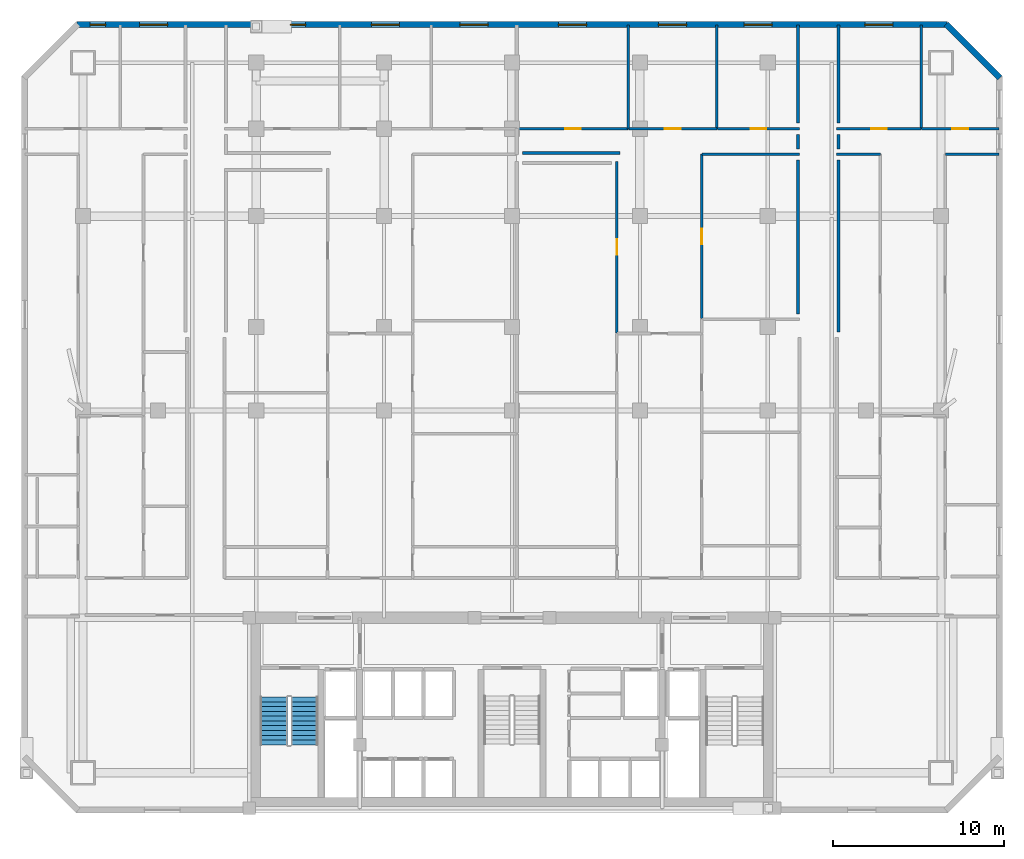
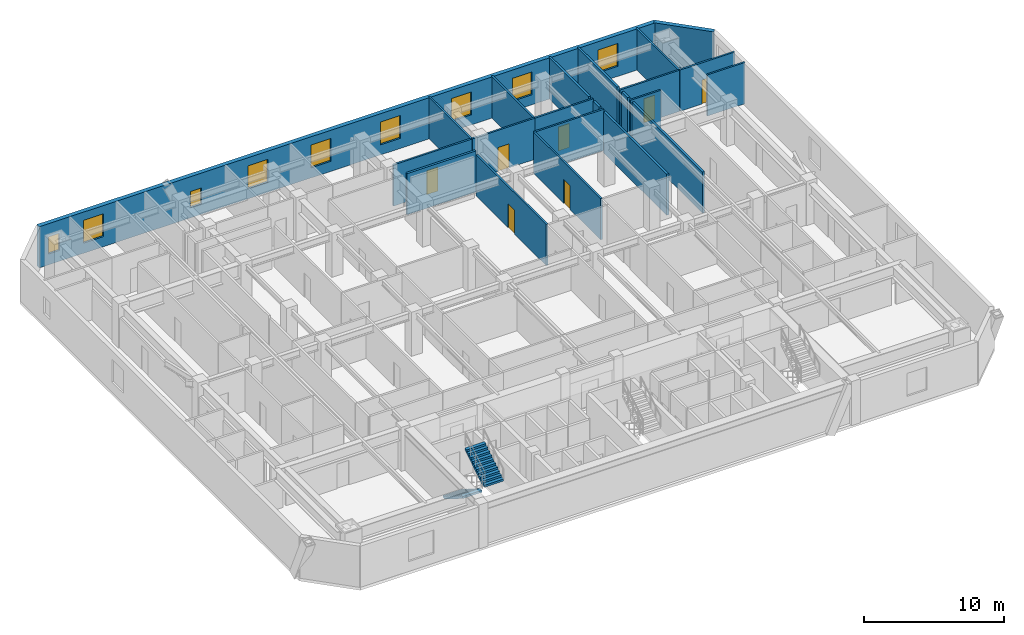
# One storey, part 8 of 10: 22 walls, 9 windows, 7 doors, 2 stair flights, 16 openings, 1 element without a shape of its own.
"""IFC4 building model written with IfcOpenShell, lengths in metres."""

from ifc_helpers import new_model, si_unit, direction, frame, frame_2d, origin, place, context, subcontext, project, spatial, polyline, rectangle, outline, extrude, material, layer, layer_set, type_object, element, fill, aggregate, save


model = new_model("IFC4")

# Units and contexts
model_context = context("Model", 3, precision=1e-05, world=origin(), true_north=direction((0.0, 1.0)))
body_context = subcontext(model_context, "Body", "Model", "MODEL_VIEW")
ifc_project = project(units=[si_unit("LENGTHUNIT", "METRE"), si_unit("AREAUNIT", "SQUARE_METRE"), si_unit("VOLUMEUNIT", "CUBIC_METRE"), si_unit("PLANEANGLEUNIT", "RADIAN"), si_unit("MASSUNIT", "GRAM", prefix="KILO")], contexts=[model_context])

# Site, building, storey
site_placement = place(None, origin())
site = spatial("IfcSite", under=ifc_project, at=site_placement, CompositionType="ELEMENT")
building_placement = place(site_placement, origin())
building = spatial("IfcBuilding", under=site, at=building_placement, Name="Ventersveld Concourse Tower", CompositionType="ELEMENT")
storey_placement = place(building_placement, frame((0.0, 0.0, 88.75)))
storey = spatial("IfcBuildingStorey", under=building, at=storey_placement, Name="L21", CompositionType="ELEMENT", Elevation=88.75)

# Walls
ifc_material_1 = material(Name="Fire-rated autoclaved aerated masonry blockwork", Category="masonry")
ifc_layer_1 = layer(ifc_material_1, 0.179931640625)
ifc_layer_set_1 = layer_set([ifc_layer_1], Name="Fire-rated autoclaved aerated masonry blockwork")
wall_type_1 = type_object("IfcWallType", Name="WL-CORR-180", PredefinedType="PARTITIONING", material=ifc_layer_set_1)
wall_1_placement = place(storey_placement, frame((47.8798828125, 38.945068359375, 0.0), z_axis=(0.0, 0.0, 1.0), x_axis=(0.0, 1.0, 0.0)))
element("IfcWall", 1, at=wall_1_placement, inside=storey, type_object=wall_type_1, Name="L21 Room Enclosure Wall SP-L21-21NE-LIV", PredefinedType="PARTITIONING", context=body_context, shape_type="SweptSolid", body=[
    extrude(rectangle(XDim=0.849853515625, YDim=0.179931640625, at=frame_2d((0.4248046875, 0.0))), origin(), (0.0, 0.0, 1.0), 3.60009765625),
])
wall_2_placement = place(storey_placement, frame((47.8798828125, 28.2099609375, 0.0), z_axis=(0.0, 0.0, 1.0), x_axis=(0.0, 1.0, 0.0)))
element("IfcWall", 2, at=wall_2_placement, inside=storey, type_object=wall_type_1, Name="L21 Room Enclosure Wall SP-L21-21NE-DENL", PredefinedType="PARTITIONING", context=body_context, shape_type="SweptSolid", body=[
    extrude(rectangle(XDim=10.0849609375, YDim=0.179931640625, at=frame_2d((5.04248046875, 0.0))), origin(), (0.0, 0.0, 1.0), 3.60009765625),
])
wall_3_placement = place(storey_placement, frame((47.8798828125, 40.445068359375, 0.0), z_axis=(0.0, 0.0, 1.0), x_axis=(0.0, 1.0, 0.0)))
element("IfcWall", 3, at=wall_3_placement, inside=storey, type_object=wall_type_1, Name="L21 Room Enclosure Wall SP-L21-21NE-BR1", PredefinedType="PARTITIONING", context=body_context, shape_type="SweptSolid", body=[
    extrude(rectangle(XDim=5.744873046875, YDim=0.179931640625, at=frame_2d((2.87255859375, 0.0))), origin(), (0.0, 0.0, 1.0), 3.60009765625),
])
wall_4_placement = place(storey_placement, frame((35.086669921875, 38.7099609375, 0.0), z_axis=(0.0, 0.0, 1.0), x_axis=(-1.0, 0.0, 0.0)))
element("IfcWall", 4, at=wall_4_placement, inside=storey, type_object=wall_type_1, Name="L21 Room Enclosure Wall SP-L21-21N2-LIV", PredefinedType="PARTITIONING", context=body_context, shape_type="SweptSolid", body=[
    extrude(rectangle(XDim=5.724853515625, YDim=0.179931640625, at=frame_2d((2.8623046875, 0.0))), origin(), (0.0, 0.0, 1.0), 3.60009765625),
])
wall_5_placement = place(storey_placement, frame((45.52001953125, 39.794921875, 0.0), z_axis=(0.0, 0.0, 1.0), x_axis=(0.0, -1.0, 0.0)))
element("IfcWall", 5, at=wall_5_placement, inside=storey, type_object=wall_type_1, Name="L21 Room Enclosure Wall SP-L21-21N2-LIV", PredefinedType="PARTITIONING", context=body_context, shape_type="SweptSolid", body=[
    extrude(rectangle(XDim=0.849853515625, YDim=0.179931640625, at=frame_2d((0.4248046875, 0.0))), origin(), (0.0, 0.0, 1.0), 3.60009765625),
])
wall_6_placement = place(storey_placement, frame((45.52001953125, 38.294921875, 0.0), z_axis=(0.0, 0.0, 1.0), x_axis=(0.0, -1.0, 0.0)))
element("IfcWall", 6, at=wall_6_placement, inside=storey, type_object=wall_type_1, Name="L21 Room Enclosure Wall SP-L21-21N2-DENS2", PredefinedType="PARTITIONING", context=body_context, shape_type="SweptSolid", body=[
    extrude(rectangle(XDim=9.02392578125, YDim=0.179931640625, at=frame_2d((4.511962890625, 0.0))), origin(), (0.0, 0.0, 1.0), 3.60009765625),
])
wall_7_placement = place(storey_placement, frame((45.52001953125, 46.18994140625, 0.0), z_axis=(0.0, 0.0, 1.0), x_axis=(0.0, -1.0, 0.0)))
element("IfcWall", 7, at=wall_7_placement, inside=storey, type_object=wall_type_1, Name="L21 Room Enclosure Wall SP-L21-21N2-BR3", PredefinedType="PARTITIONING", context=body_context, shape_type="SweptSolid", body=[
    extrude(rectangle(XDim=5.744873046875, YDim=0.179931640625, at=frame_2d((2.87255859375, 0.0))), origin(), (0.0, 0.0, 1.0), 3.60009765625),
])
ifc_material_2 = material(Name="Autoclaved aerated masonry blockwork", Category="masonry")
ifc_layer_2 = layer(ifc_material_2, 0.14990234375)
ifc_layer_set_2 = layer_set([ifc_layer_2], Name="Autoclaved aerated masonry blockwork")
wall_type_2 = type_object("IfcWallType", Name="WL-INT-150", PredefinedType="PARTITIONING", material=ifc_layer_set_2)
wall_8_placement = place(storey_placement, frame((47.784912109375, 38.6201171875, 0.0), z_axis=(0.0, 0.0, 1.0), x_axis=(1.0, 0.0, 0.0)))
element("IfcWall", 8, at=wall_8_placement, inside=storey, type_object=wall_type_2, Name="L21 Interior Partition SP-L21-21NE-LIV-SP-L21-21NE-DENL", PredefinedType="PARTITIONING", context=body_context, shape_type="SweptSolid", body=[
    extrude(rectangle(XDim=2.55712890625, YDim=0.14990234375, at=frame_2d((1.278564453125, 0.0))), origin(), (0.0, 0.0, 1.0), 3.60009765625),
])
wall_9_placement = place(storey_placement, frame((54.154052734375, 38.6201171875, 0.0), z_axis=(0.0, 0.0, 1.0), x_axis=(1.0, 0.0, 0.0)))
element("IfcWall", 9, at=wall_9_placement, inside=storey, type_object=wall_type_2, Name="L21 Interior Partition SP-L21-21NE-LIV-SP-L21-21NE-DENR", PredefinedType="PARTITIONING", context=body_context, shape_type="SweptSolid", body=[
    extrude(rectangle(XDim=3.135986328125, YDim=0.14990234375, at=frame_2d((1.56787109375, 0.0))), origin(), (0.0, 0.0, 1.0), 3.60009765625),
])

# Wall, opening, door
wall_10_placement = place(storey_placement, frame((47.784912109375, 40.1201171875, 0.0), z_axis=(0.0, 0.0, 1.0), x_axis=(1.0, 0.0, 0.0)))
wall_10 = element("IfcWall", 10, at=wall_10_placement, inside=storey, type_object=wall_type_2, Name="L21 Interior Partition SP-L21-21NE-LIV-SP-L21-21NE-BR1", PredefinedType="PARTITIONING", context=body_context, shape_type="SweptSolid", body=[
    extrude(rectangle(XDim=4.951171875, YDim=0.14990234375, at=frame_2d((2.4755859375, 0.0))), origin(), (0.0, 0.0, 1.0), 3.60009765625),
])
opening_1_placement = place(wall_10_placement, frame((2.015625, 0.0, 0.0)))
opening_1 = element("IfcOpeningElement", 11, at=opening_1_placement, cuts=wall_10, Name="Opening ID1", PredefinedType="OPENING", context=body_context, shape_type="SweptSolid", body=[
    extrude(rectangle(XDim=0.919921875, YDim=2.10009765625, at=frame_2d((0.4599609375, 1.050048828125))), frame((0.0, 0.0849609375, 0.0), z_axis=(0.0, -1.0, 0.0), x_axis=(1.0, 0.0, 0.0)), (0.0, 0.0, 1.0), 0.169921875),
])
ifc_material_3 = material(Name="Solid-core hardwood veneer timber", Category="wood")
door_type = type_object("IfcDoorType", Name="DR-ROOM-092", OperationType="NOTDEFINED", PredefinedType="DOOR", material=ifc_material_3)
door_1_placement = place(opening_1_placement, origin())
door_1 = element("IfcDoor", 12, at=door_1_placement, inside=storey, type_object=door_type, Name="L21 Interior Door SP-L21-21NE-LIV to SP-L21-21NE-BR1 (D-L21-1033)", OperationType="SINGLE_SWING_LEFT", OverallHeight=2.10009765625, OverallWidth=0.919921875, PredefinedType="DOOR", context=body_context, shape_type="SweptSolid", body=[
    extrude(rectangle(XDim=0.919921875, YDim=2.10009765625, at=frame_2d((0.4599609375, 1.050048828125))), frame((0.0, 0.02490234375, 0.0), z_axis=(0.0, -1.0, 0.0), x_axis=(1.0, 0.0, 0.0)), (0.0, 0.0, 1.0), 0.050048828125),
])
fill(opening_1, door_1)

wall_11_placement = place(storey_placement, frame((52.76611328125, 40.1201171875, 0.0), z_axis=(0.0, 0.0, 1.0), x_axis=(1.0, 0.0, 0.0)))
wall_11 = element("IfcWall", 13, at=wall_11_placement, inside=storey, type_object=wall_type_2, Name="L21 Interior Partition SP-L21-21NE-LIV-SP-L21-21NE-BR2", PredefinedType="PARTITIONING", context=body_context, shape_type="SweptSolid", body=[
    extrude(rectangle(XDim=4.52392578125, YDim=0.14990234375, at=frame_2d((2.261962890625, 0.0))), origin(), (0.0, 0.0, 1.0), 3.60009765625),
])
opening_2_placement = place(wall_11_placement, frame((1.802001953125, 0.0, 0.0)))
opening_2 = element("IfcOpeningElement", 14, at=opening_2_placement, cuts=wall_11, Name="Opening ID1", PredefinedType="OPENING", context=body_context, shape_type="SweptSolid", body=[
    extrude(rectangle(XDim=0.919921875, YDim=2.10009765625, at=frame_2d((0.4599609375, 1.050048828125))), frame((0.0, 0.0849609375, 0.0), z_axis=(0.0, -1.0, 0.0), x_axis=(1.0, 0.0, 0.0)), (0.0, 0.0, 1.0), 0.169921875),
])
door_2_placement = place(opening_2_placement, origin())
door_2 = element("IfcDoor", 15, at=door_2_placement, inside=storey, type_object=door_type, Name="L21 Interior Door SP-L21-21NE-LIV to SP-L21-21NE-BR2 (D-L21-1034)", OperationType="SINGLE_SWING_RIGHT", OverallHeight=2.10009765625, OverallWidth=0.919921875, PredefinedType="DOOR", context=body_context, shape_type="SweptSolid", body=[
    extrude(rectangle(XDim=0.919921875, YDim=2.10009765625, at=frame_2d((0.4599609375, 1.050048828125))), frame((0.0, 0.02490234375, 0.0), z_axis=(0.0, -1.0, 0.0), x_axis=(1.0, 0.0, 0.0)), (0.0, 0.0, 1.0), 0.050048828125),
])
fill(opening_2, door_2)

# Wall
wall_12_placement = place(storey_placement, frame((52.731201171875, 40.114990234375, 0.0), z_axis=(0.0, 0.0, 1.0), x_axis=(0.0, 1.0, 0.0)))
element("IfcWall", 16, at=wall_12_placement, inside=storey, type_object=wall_type_2, Name="L21 Interior Partition SP-L21-21NE-BR1-SP-L21-21NE-BR2", PredefinedType="PARTITIONING", context=body_context, shape_type="SweptSolid", body=[
    extrude(rectangle(XDim=6.074951171875, YDim=0.14990234375, at=frame_2d((3.03759765625, 0.0))), origin(), (0.0, 0.0, 1.0), 3.60009765625),
])

# Wall, opening, door
wall_13_placement = place(storey_placement, frame((34.901611328125, 28.151611328125, 0.0), z_axis=(0.0, 0.0, 1.0), x_axis=(0.0, 1.0, 0.0)))
wall_13 = element("IfcWall", 17, at=wall_13_placement, inside=storey, type_object=wall_type_2, Name="L21 Interior Partition SP-L21-21N2-LIV-SP-L21-21N2-DENL2", PredefinedType="PARTITIONING", context=body_context, shape_type="SweptSolid", body=[
    extrude(rectangle(XDim=10.052490234375, YDim=0.14990234375, at=frame_2d((5.0263671875, 0.0))), origin(), (0.0, 0.0, 1.0), 3.60009765625),
])
opening_3_placement = place(wall_13_placement, frame((4.566162109375, 0.0, 0.0)))
opening_3 = element("IfcOpeningElement", 18, at=opening_3_placement, cuts=wall_13, Name="Opening ID1", PredefinedType="OPENING", context=body_context, shape_type="SweptSolid", body=[
    extrude(rectangle(XDim=0.919921875, YDim=2.10009765625, at=frame_2d((0.4599609375, 1.050048828125))), frame((0.0, 0.0849609375, 0.0), z_axis=(0.0, -1.0, 0.0), x_axis=(1.0, 0.0, 0.0)), (0.0, 0.0, 1.0), 0.169921875),
])
door_3_placement = place(opening_3_placement, origin())
door_3 = element("IfcDoor", 19, at=door_3_placement, inside=storey, type_object=door_type, Name="L21 Interior Door SP-L21-21N2-LIV to SP-L21-21N2-DENL2 (D-L21-1054)", OperationType="SINGLE_SWING_RIGHT", OverallHeight=2.10009765625, OverallWidth=0.919921875, PredefinedType="DOOR", context=body_context, shape_type="SweptSolid", body=[
    extrude(rectangle(XDim=0.919921875, YDim=2.10009765625, at=frame_2d((0.4599609375, 1.050048828125))), frame((0.0, 0.02490234375, 0.0), z_axis=(0.0, -1.0, 0.0), x_axis=(1.0, 0.0, 0.0)), (0.0, 0.0, 1.0), 0.050048828125),
])
fill(opening_3, door_3)

wall_14_placement = place(storey_placement, frame((39.881591796875, 28.98095703125, 0.0), z_axis=(0.0, 0.0, 1.0), x_axis=(0.0, 1.0, 0.0)))
wall_14 = element("IfcWall", 20, at=wall_14_placement, inside=storey, type_object=wall_type_2, Name="L21 Interior Partition SP-L21-21N2-LIV-SP-L21-21N2-DENS2", PredefinedType="PARTITIONING", context=body_context, shape_type="SweptSolid", body=[
    extrude(rectangle(XDim=9.64404296875, YDim=0.14990234375, at=frame_2d((4.822021484375, 0.0))), origin(), (0.0, 0.0, 1.0), 3.60009765625),
])
opening_4_placement = place(wall_14_placement, frame((4.362060546875, 0.0, 0.0)))
opening_4 = element("IfcOpeningElement", 21, at=opening_4_placement, cuts=wall_14, Name="Opening ID1", PredefinedType="OPENING", context=body_context, shape_type="SweptSolid", body=[
    extrude(rectangle(XDim=0.919921875, YDim=2.10009765625, at=frame_2d((0.4599609375, 1.050048828125))), frame((0.0, 0.0849609375, 0.0), z_axis=(0.0, -1.0, 0.0), x_axis=(1.0, 0.0, 0.0)), (0.0, 0.0, 1.0), 0.169921875),
])
door_4_placement = place(opening_4_placement, origin())
door_4 = element("IfcDoor", 22, at=door_4_placement, inside=storey, type_object=door_type, Name="L21 Interior Door SP-L21-21N2-LIV to SP-L21-21N2-DENS2 (D-L21-1055)", OperationType="SINGLE_SWING_LEFT", OverallHeight=2.10009765625, OverallWidth=0.919921875, PredefinedType="DOOR", context=body_context, shape_type="SweptSolid", body=[
    extrude(rectangle(XDim=0.919921875, YDim=2.10009765625, at=frame_2d((0.4599609375, 1.050048828125))), frame((0.0, 0.02490234375, 0.0), z_axis=(0.0, -1.0, 0.0), x_axis=(1.0, 0.0, 0.0)), (0.0, 0.0, 1.0), 0.050048828125),
])
fill(opening_4, door_4)

# Wall
wall_15_placement = place(storey_placement, frame((39.876708984375, 38.6201171875, 0.0), z_axis=(0.0, 0.0, 1.0), x_axis=(1.0, 0.0, 0.0)))
element("IfcWall", 23, at=wall_15_placement, inside=storey, type_object=wall_type_2, Name="L21 Interior Partition SP-L21-21N2-LIV-SP-L21-21N2-DENS2", PredefinedType="PARTITIONING", context=body_context, shape_type="SweptSolid", body=[
    extrude(rectangle(XDim=5.73828125, YDim=0.14990234375, at=frame_2d((2.869140625, 0.0))), origin(), (0.0, 0.0, 1.0), 3.60009765625),
])

# Wall, opening, door
wall_16_placement = place(storey_placement, frame((29.072021484375, 40.1201171875, 0.0), z_axis=(0.0, 0.0, 1.0), x_axis=(1.0, 0.0, 0.0)))
wall_16 = element("IfcWall", 24, at=wall_16_placement, inside=storey, type_object=wall_type_2, Name="L21 Interior Partition SP-L21-21N2-LIV-SP-L21-21N2-BR1", PredefinedType="PARTITIONING", context=body_context, shape_type="SweptSolid", body=[
    extrude(rectangle(XDim=6.496337890625, YDim=0.14990234375, at=frame_2d((3.248046875, 0.0))), origin(), (0.0, 0.0, 1.0), 3.60009765625),
])
opening_5_placement = place(wall_16_placement, frame((2.7880859375, 0.0, 0.0)))
opening_5 = element("IfcOpeningElement", 25, at=opening_5_placement, cuts=wall_16, Name="Opening ID1", PredefinedType="OPENING", context=body_context, shape_type="SweptSolid", body=[
    extrude(rectangle(XDim=0.919921875, YDim=2.10009765625, at=frame_2d((0.4599609375, 1.050048828125))), frame((0.0, 0.0849609375, 0.0), z_axis=(0.0, -1.0, 0.0), x_axis=(1.0, 0.0, 0.0)), (0.0, 0.0, 1.0), 0.169921875),
])
door_5_placement = place(opening_5_placement, origin())
door_5 = element("IfcDoor", 26, at=door_5_placement, inside=storey, type_object=door_type, Name="L21 Interior Door SP-L21-21N2-LIV to SP-L21-21N2-BR1 (D-L21-1056)", OperationType="SINGLE_SWING_RIGHT", OverallHeight=2.10009765625, OverallWidth=0.919921875, PredefinedType="DOOR", context=body_context, shape_type="SweptSolid", body=[
    extrude(rectangle(XDim=0.919921875, YDim=2.10009765625, at=frame_2d((0.4599609375, 1.050048828125))), frame((0.0, 0.02490234375, 0.0), z_axis=(0.0, -1.0, 0.0), x_axis=(1.0, 0.0, 0.0)), (0.0, 0.0, 1.0), 0.050048828125),
])
fill(opening_5, door_5)

wall_17_placement = place(storey_placement, frame((35.598388671875, 40.1201171875, 0.0), z_axis=(0.0, 0.0, 1.0), x_axis=(1.0, 0.0, 0.0)))
wall_17 = element("IfcWall", 27, at=wall_17_placement, inside=storey, type_object=wall_type_2, Name="L21 Interior Partition SP-L21-21N2-LIV-SP-L21-21N2-BR2", PredefinedType="PARTITIONING", context=body_context, shape_type="SweptSolid", body=[
    extrude(rectangle(XDim=5.16015625, YDim=0.14990234375, at=frame_2d((2.580078125, 0.0))), origin(), (0.0, 0.0, 1.0), 3.60009765625),
])
opening_6_placement = place(wall_17_placement, frame((2.1201171875, 0.0, 0.0)))
opening_6 = element("IfcOpeningElement", 28, at=opening_6_placement, cuts=wall_17, Name="Opening ID1", PredefinedType="OPENING", context=body_context, shape_type="SweptSolid", body=[
    extrude(rectangle(XDim=0.919921875, YDim=2.10009765625, at=frame_2d((0.4599609375, 1.050048828125))), frame((0.0, 0.0849609375, 0.0), z_axis=(0.0, -1.0, 0.0), x_axis=(1.0, 0.0, 0.0)), (0.0, 0.0, 1.0), 0.169921875),
])
door_6_placement = place(opening_6_placement, origin())
door_6 = element("IfcDoor", 29, at=door_6_placement, inside=storey, type_object=door_type, Name="L21 Interior Door SP-L21-21N2-LIV to SP-L21-21N2-BR2 (D-L21-1057)", OperationType="SINGLE_SWING_LEFT", OverallHeight=2.10009765625, OverallWidth=0.919921875, PredefinedType="DOOR", context=body_context, shape_type="SweptSolid", body=[
    extrude(rectangle(XDim=0.919921875, YDim=2.10009765625, at=frame_2d((0.4599609375, 1.050048828125))), frame((0.0, 0.02490234375, 0.0), z_axis=(0.0, -1.0, 0.0), x_axis=(1.0, 0.0, 0.0)), (0.0, 0.0, 1.0), 0.050048828125),
])
fill(opening_6, door_6)

wall_18_placement = place(storey_placement, frame((40.78857421875, 40.1201171875, 0.0), z_axis=(0.0, 0.0, 1.0), x_axis=(1.0, 0.0, 0.0)))
wall_18 = element("IfcWall", 30, at=wall_18_placement, inside=storey, type_object=wall_type_2, Name="L21 Interior Partition SP-L21-21N2-LIV-SP-L21-21N2-BR3", PredefinedType="PARTITIONING", context=body_context, shape_type="SweptSolid", body=[
    extrude(rectangle(XDim=4.826416015625, YDim=0.14990234375, at=frame_2d((2.4130859375, 0.0))), origin(), (0.0, 0.0, 1.0), 3.60009765625),
])
opening_7_placement = place(wall_18_placement, frame((1.953125, 0.0, 0.0)))
opening_7 = element("IfcOpeningElement", 31, at=opening_7_placement, cuts=wall_18, Name="Opening ID1", PredefinedType="OPENING", context=body_context, shape_type="SweptSolid", body=[
    extrude(rectangle(XDim=0.919921875, YDim=2.10009765625, at=frame_2d((0.4599609375, 1.050048828125))), frame((0.0, 0.0849609375, 0.0), z_axis=(0.0, -1.0, 0.0), x_axis=(1.0, 0.0, 0.0)), (0.0, 0.0, 1.0), 0.169921875),
])
door_7_placement = place(opening_7_placement, origin())
door_7 = element("IfcDoor", 32, at=door_7_placement, inside=storey, type_object=door_type, Name="L21 Interior Door SP-L21-21N2-LIV to SP-L21-21N2-BR3 (D-L21-1058)", OperationType="SINGLE_SWING_RIGHT", OverallHeight=2.10009765625, OverallWidth=0.919921875, PredefinedType="DOOR", context=body_context, shape_type="SweptSolid", body=[
    extrude(rectangle(XDim=0.919921875, YDim=2.10009765625, at=frame_2d((0.4599609375, 1.050048828125))), frame((0.0, 0.02490234375, 0.0), z_axis=(0.0, -1.0, 0.0), x_axis=(1.0, 0.0, 0.0)), (0.0, 0.0, 1.0), 0.050048828125),
])
fill(opening_7, door_7)

# Walls
for number, where, z_axis, x_axis, name in (
    (33, (35.563232421875, 40.114990234375, 0.0), (0.0, 0.0, 1.0), (0.0, 1.0, 0.0), "L21 Interior Partition SP-L21-21N2-BR1-SP-L21-21N2-BR2"),
    (34, (40.753662109375, 40.114990234375, 0.0), (0.0, 0.0, 1.0), (0.0, 1.0, 0.0), "L21 Interior Partition SP-L21-21N2-BR2-SP-L21-21N2-BR3"),
):
    element("IfcWall", number, at=place(storey_placement, frame(where, z_axis=z_axis, x_axis=x_axis)), inside=storey, type_object=wall_type_2, Name=name, PredefinedType="PARTITIONING", context=body_context, shape_type="SweptSolid", body=[
        extrude(rectangle(XDim=6.074951171875, YDim=0.14990234375, at=frame_2d((3.03759765625, 0.0))), origin(), (0.0, 0.0, 1.0), 3.60009765625),
    ])
ifc_material_4 = material(Name="Precast concrete C45/55", Category="concrete")
ifc_layer_3 = layer(ifc_material_4, 0.35009765625)
ifc_layer_set_3 = layer_set([ifc_layer_3], Name="Precast concrete C45/55")
wall_type_3 = type_object("IfcWallType", Name="WL-PREC-350", PredefinedType="SOLIDWALL", material=ifc_layer_set_3)
wall_19_placement = place(storey_placement, frame((57.347900390625, 43.1044921875, 0.0), z_axis=(0.0, 0.0, 1.0), x_axis=(-0.707079321262, 0.707134240044, 0.0)))
element("IfcWall", 35, at=wall_19_placement, inside=storey, type_object=wall_type_3, Name="L21 Highveld Precast Facade Wall E04", PredefinedType="SOLIDWALL", context=body_context, shape_type="SweptSolid", body=[
    extrude(rectangle(XDim=4.445556640625, YDim=0.35009765625, at=frame_2d((2.22265625, 0.0))), origin(), (0.0, 0.0, 1.0), 3.60009765625),
])

# Wall, openings, windows
wall_20_placement = place(storey_placement, frame((54.260009765625, 46.22509765625, 0.0), z_axis=(0.0, 0.0, 1.0), x_axis=(-1.0, 0.0, 0.0)))
wall_20 = element("IfcWall", 36, at=wall_20_placement, inside=storey, type_object=wall_type_3, Name="L21 Highveld Precast Facade Wall E05", PredefinedType="SOLIDWALL", context=body_context, shape_type="SweptSolid", body=[
    extrude(rectangle(XDim=51.02001953125, YDim=0.35009765625, at=frame_2d((25.510009765625, 0.0))), origin(), (0.0, 0.0, 1.0), 3.60009765625),
])
opening_8_placement = place(wall_20_placement, frame((49.340087890625, 0.0, 0.949951171875)))
opening_8 = element("IfcOpeningElement", 37, at=opening_8_placement, cuts=wall_20, Name="Opening W4", PredefinedType="OPENING", context=body_context, shape_type="SweptSolid", body=[
    extrude(rectangle(XDim=0.89990234375, YDim=1.5, at=frame_2d((0.449951171875, 0.75))), frame((0.0, 0.18505859375, 0.0), z_axis=(0.0, -1.0, 0.0), x_axis=(1.0, 0.0, 0.0)), (0.0, 0.0, 1.0), 0.3701171875),
])
opening_9_placement = place(wall_20_placement, frame((45.6943359375, 0.0, 0.8798828125)))
opening_9 = element("IfcOpeningElement", 38, at=opening_9_placement, cuts=wall_20, Name="Opening W6", PredefinedType="OPENING", context=body_context, shape_type="SweptSolid", body=[
    extrude(rectangle(XDim=1.64990234375, YDim=2.0, at=frame_2d((0.824951171875, 1.0))), frame((0.0, 0.18505859375, 0.0), z_axis=(0.0, -1.0, 0.0), x_axis=(1.0, 0.0, 0.0)), (0.0, 0.0, 1.0), 0.3701171875),
])
opening_10_placement = place(wall_20_placement, frame((3.17431640625, 0.0, 0.8798828125)))
opening_10 = element("IfcOpeningElement", 39, at=opening_10_placement, cuts=wall_20, Name="Opening W6", PredefinedType="OPENING", context=body_context, shape_type="SweptSolid", body=[
    extrude(rectangle(XDim=1.64990234375, YDim=2.0, at=frame_2d((0.824951171875, 1.0))), frame((0.0, 0.18505859375, 0.0), z_axis=(0.0, -1.0, 0.0), x_axis=(1.0, 0.0, 0.0)), (0.0, 0.0, 1.0), 0.3701171875),
])
opening_11_placement = place(wall_20_placement, frame((37.61279296875, 0.0, 0.89990234375)))
opening_11 = element("IfcOpeningElement", 40, at=opening_11_placement, cuts=wall_20, Name="Opening W8", PredefinedType="OPENING", context=body_context, shape_type="SweptSolid", body=[
    extrude(rectangle(XDim=0.89990234375, YDim=1.39990234375, at=frame_2d((0.449951171875, 0.699951171875))), frame((0.0, 0.18505859375, 0.0), z_axis=(0.0, -1.0, 0.0), x_axis=(1.0, 0.0, 0.0)), (0.0, 0.0, 1.0), 0.3701171875),
])
opening_12_placement = place(wall_20_placement, frame((32.1064453125, 0.0, 0.8798828125)))
opening_12 = element("IfcOpeningElement", 41, at=opening_12_placement, cuts=wall_20, Name="Opening W6", PredefinedType="OPENING", context=body_context, shape_type="SweptSolid", body=[
    extrude(rectangle(XDim=1.64990234375, YDim=2.0, at=frame_2d((0.824951171875, 1.0))), frame((0.0, 0.18505859375, 0.0), z_axis=(0.0, -1.0, 0.0), x_axis=(1.0, 0.0, 0.0)), (0.0, 0.0, 1.0), 0.3701171875),
])
opening_13_placement = place(wall_20_placement, frame((26.909912109375, 0.0, 0.8798828125)))
opening_13 = element("IfcOpeningElement", 42, at=opening_13_placement, cuts=wall_20, Name="Opening W6", PredefinedType="OPENING", context=body_context, shape_type="SweptSolid", body=[
    extrude(rectangle(XDim=1.64990234375, YDim=2.0, at=frame_2d((0.824951171875, 1.0))), frame((0.0, 0.18505859375, 0.0), z_axis=(0.0, -1.0, 0.0), x_axis=(1.0, 0.0, 0.0)), (0.0, 0.0, 1.0), 0.3701171875),
])
opening_14_placement = place(wall_20_placement, frame((21.135009765625, 0.0, 0.8798828125)))
opening_14 = element("IfcOpeningElement", 43, at=opening_14_placement, cuts=wall_20, Name="Opening W6", PredefinedType="OPENING", context=body_context, shape_type="SweptSolid", body=[
    extrude(rectangle(XDim=1.64990234375, YDim=2.0, at=frame_2d((0.824951171875, 1.0))), frame((0.0, 0.18505859375, 0.0), z_axis=(0.0, -1.0, 0.0), x_axis=(1.0, 0.0, 0.0)), (0.0, 0.0, 1.0), 0.3701171875),
])
opening_15_placement = place(wall_20_placement, frame((15.276611328125, 0.0, 0.8798828125)))
opening_15 = element("IfcOpeningElement", 44, at=opening_15_placement, cuts=wall_20, Name="Opening W6", PredefinedType="OPENING", context=body_context, shape_type="SweptSolid", body=[
    extrude(rectangle(XDim=1.64990234375, YDim=2.0, at=frame_2d((0.824951171875, 1.0))), frame((0.0, 0.18505859375, 0.0), z_axis=(0.0, -1.0, 0.0), x_axis=(1.0, 0.0, 0.0)), (0.0, 0.0, 1.0), 0.3701171875),
])
opening_16_placement = place(wall_20_placement, frame((10.253173828125, 0.0, 0.8798828125)))
opening_16 = element("IfcOpeningElement", 45, at=opening_16_placement, cuts=wall_20, Name="Opening W6", PredefinedType="OPENING", context=body_context, shape_type="SweptSolid", body=[
    extrude(rectangle(XDim=1.64990234375, YDim=2.0, at=frame_2d((0.824951171875, 1.0))), frame((0.0, 0.18505859375, 0.0), z_axis=(0.0, -1.0, 0.0), x_axis=(1.0, 0.0, 0.0)), (0.0, 0.0, 1.0), 0.3701171875),
])
ifc_material_5 = material(Name="Tempered acoustic Low-E IGU", Category="glass")
window_type_1 = type_object("IfcWindowType", Name="WIN-090x140", PartitioningType="SINGLE_PANEL", PredefinedType="WINDOW", material=ifc_material_5)
window_1_placement = place(opening_11_placement, origin())
window_1 = element("IfcWindow", 46, at=window_1_placement, inside=storey, type_object=window_type_1, Name="L21 Punched Low-E Window W-0235", OverallHeight=1.39990234375, OverallWidth=0.89990234375, PartitioningType="SINGLE_PANEL", PredefinedType="WINDOW", context=body_context, shape_type="SweptSolid", body=[
    extrude(rectangle(XDim=0.89990234375, YDim=1.39990234375, at=frame_2d((0.449951171875, 0.699951171875))), frame((0.0, 0.030029296875, 0.0), z_axis=(0.0, -1.0, 0.0), x_axis=(1.0, 0.0, 0.0)), (0.0, 0.0, 1.0), 0.06005859375),
])
fill(opening_11, window_1)
window_type_2 = type_object("IfcWindowType", Name="WIN-090x150", PartitioningType="SINGLE_PANEL", PredefinedType="WINDOW", material=ifc_material_5)
window_2_placement = place(opening_8_placement, origin())
window_2 = element("IfcWindow", 47, at=window_2_placement, inside=storey, type_object=window_type_2, Name="L21 Punched Low-E Window W-0228", OverallHeight=1.5, OverallWidth=0.89990234375, PartitioningType="SINGLE_PANEL", PredefinedType="WINDOW", context=body_context, shape_type="SweptSolid", body=[
    extrude(rectangle(XDim=0.89990234375, YDim=1.5, at=frame_2d((0.449951171875, 0.75))), frame((0.0, 0.030029296875, 0.0), z_axis=(0.0, -1.0, 0.0), x_axis=(1.0, 0.0, 0.0)), (0.0, 0.0, 1.0), 0.06005859375),
])
fill(opening_8, window_2)
window_type_3 = type_object("IfcWindowType", Name="WIN-165x200", PartitioningType="SINGLE_PANEL", PredefinedType="WINDOW", material=ifc_material_5)
window_3_placement = place(opening_9_placement, origin())
window_3 = element("IfcWindow", 48, at=window_3_placement, inside=storey, type_object=window_type_3, Name="L21 Punched Low-E Window W-0229", OverallHeight=2.0, OverallWidth=1.64990234375, PartitioningType="SINGLE_PANEL", PredefinedType="WINDOW", context=body_context, shape_type="SweptSolid", body=[
    extrude(rectangle(XDim=1.64990234375, YDim=2.0, at=frame_2d((0.824951171875, 1.0))), frame((0.0, 0.030029296875, 0.0), z_axis=(0.0, -1.0, 0.0), x_axis=(1.0, 0.0, 0.0)), (0.0, 0.0, 1.0), 0.06005859375),
])
fill(opening_9, window_3)
window_4_placement = place(opening_10_placement, origin())
window_4 = element("IfcWindow", 49, at=window_4_placement, inside=storey, type_object=window_type_3, Name="L21 Punched Low-E Window W-0233", OverallHeight=2.0, OverallWidth=1.64990234375, PartitioningType="SINGLE_PANEL", PredefinedType="WINDOW", context=body_context, shape_type="SweptSolid", body=[
    extrude(rectangle(XDim=1.64990234375, YDim=2.0, at=frame_2d((0.824951171875, 1.0))), frame((0.0, 0.030029296875, 0.0), z_axis=(0.0, -1.0, 0.0), x_axis=(1.0, 0.0, 0.0)), (0.0, 0.0, 1.0), 0.06005859375),
])
fill(opening_10, window_4)
window_5_placement = place(opening_12_placement, origin())
window_5 = element("IfcWindow", 50, at=window_5_placement, inside=storey, type_object=window_type_3, Name="L21 Punched Low-E Window W-0236", OverallHeight=2.0, OverallWidth=1.64990234375, PartitioningType="SINGLE_PANEL", PredefinedType="WINDOW", context=body_context, shape_type="SweptSolid", body=[
    extrude(rectangle(XDim=1.64990234375, YDim=2.0, at=frame_2d((0.824951171875, 1.0))), frame((0.0, 0.030029296875, 0.0), z_axis=(0.0, -1.0, 0.0), x_axis=(1.0, 0.0, 0.0)), (0.0, 0.0, 1.0), 0.06005859375),
])
fill(opening_12, window_5)
window_6_placement = place(opening_13_placement, origin())
window_6 = element("IfcWindow", 51, at=window_6_placement, inside=storey, type_object=window_type_3, Name="L21 Punched Low-E Window W-0237", OverallHeight=2.0, OverallWidth=1.64990234375, PartitioningType="SINGLE_PANEL", PredefinedType="WINDOW", context=body_context, shape_type="SweptSolid", body=[
    extrude(rectangle(XDim=1.64990234375, YDim=2.0, at=frame_2d((0.824951171875, 1.0))), frame((0.0, 0.030029296875, 0.0), z_axis=(0.0, -1.0, 0.0), x_axis=(1.0, 0.0, 0.0)), (0.0, 0.0, 1.0), 0.06005859375),
])
fill(opening_13, window_6)
window_7_placement = place(opening_14_placement, origin())
window_7 = element("IfcWindow", 52, at=window_7_placement, inside=storey, type_object=window_type_3, Name="L21 Punched Low-E Window W-0238", OverallHeight=2.0, OverallWidth=1.64990234375, PartitioningType="SINGLE_PANEL", PredefinedType="WINDOW", context=body_context, shape_type="SweptSolid", body=[
    extrude(rectangle(XDim=1.64990234375, YDim=2.0, at=frame_2d((0.824951171875, 1.0))), frame((0.0, 0.030029296875, 0.0), z_axis=(0.0, -1.0, 0.0), x_axis=(1.0, 0.0, 0.0)), (0.0, 0.0, 1.0), 0.06005859375),
])
fill(opening_14, window_7)
window_8_placement = place(opening_15_placement, origin())
window_8 = element("IfcWindow", 53, at=window_8_placement, inside=storey, type_object=window_type_3, Name="L21 Punched Low-E Window W-0239", OverallHeight=2.0, OverallWidth=1.64990234375, PartitioningType="SINGLE_PANEL", PredefinedType="WINDOW", context=body_context, shape_type="SweptSolid", body=[
    extrude(rectangle(XDim=1.64990234375, YDim=2.0, at=frame_2d((0.824951171875, 1.0))), frame((0.0, 0.030029296875, 0.0), z_axis=(0.0, -1.0, 0.0), x_axis=(1.0, 0.0, 0.0)), (0.0, 0.0, 1.0), 0.06005859375),
])
fill(opening_15, window_8)
window_9_placement = place(opening_16_placement, origin())
window_9 = element("IfcWindow", 54, at=window_9_placement, inside=storey, type_object=window_type_3, Name="L21 Punched Low-E Window W-0240", OverallHeight=2.0, OverallWidth=1.64990234375, PartitioningType="SINGLE_PANEL", PredefinedType="WINDOW", context=body_context, shape_type="SweptSolid", body=[
    extrude(rectangle(XDim=1.64990234375, YDim=2.0, at=frame_2d((0.824951171875, 1.0))), frame((0.0, 0.030029296875, 0.0), z_axis=(0.0, -1.0, 0.0), x_axis=(1.0, 0.0, 0.0)), (0.0, 0.0, 1.0), 0.06005859375),
])
fill(opening_16, window_9)

# Stair, stair flights
ifc_material_6 = material(Name="Concrete C50/60", Category="concrete")
stair_type = type_object("IfcStairType", Name="ST-DOG-160", PredefinedType="HALF_TURN_STAIR", material=ifc_material_6)
stair_placement = place(storey_placement, origin())
stair = element("IfcStair", 55, at=stair_placement, inside=storey, type_object=stair_type, Name="L21 Protected Tower Escape Stair ST-01", PredefinedType="HALF_TURN_STAIR")
stair_flight_type = type_object("IfcStairFlightType", Name="STF-RC-160", PredefinedType="STRAIGHT", material=ifc_material_6)
stair_flight_1_placement = place(storey_placement, frame((14.780029296875, 6.800048828125, 0.0), z_axis=(0.0, 0.0, 1.0), x_axis=(0.0, -1.0, 0.0)))
stair_flight_1 = element("IfcStairFlight", 56, at=stair_flight_1_placement, type_object=stair_flight_type, Name="ST-01 flight 1", NumberOfRisers=11, NumberOfTreads=10, PredefinedType="STRAIGHT", RiserHeight=0.175, TreadLength=0.28, context=body_context, shape_type="SweptSolid", body=[
    extrude(outline(polyline([(0.0, 0.0), (0.0, 0.175048828125), (0.280029296875, 0.175048828125), (0.280029296875, 0.35009765625), (0.56005859375, 0.35009765625), (0.56005859375, 0.52490234375), (0.840087890625, 0.52490234375), (0.840087890625, 0.699951171875), (1.1201171875, 0.699951171875), (1.1201171875, 0.875), (1.39990234375, 0.875), (1.39990234375, 1.050048828125), (1.679931640625, 1.050048828125), (1.679931640625, 1.22509765625), (1.9599609375, 1.22509765625), (1.9599609375, 1.39990234375), (2.239990234375, 1.39990234375), (2.239990234375, 1.574951171875), (2.52001953125, 1.574951171875), (2.52001953125, 1.75), (2.800048828125, 1.75), (2.800048828125, 1.925048828125), (2.800048828125, 1.5732421875), (0.28271484375, 0.0), (0.0, 0.0)])), frame((0.0, 0.800048828125, 0.0), z_axis=(0.0, -1.0, 0.0), x_axis=(1.0, 0.0, 0.0)), (0.0, 0.0, 1.0), 1.60009765625),
])
stair_flight_2_placement = place(storey_placement, frame((16.580078125, 4.0, 1.925048828125), z_axis=(0.0, 0.0, 1.0), x_axis=(0.0, 1.0, 0.0)))
stair_flight_2 = element("IfcStairFlight", 57, at=stair_flight_2_placement, type_object=stair_flight_type, Name="ST-01 flight 2", NumberOfRisers=11, NumberOfTreads=10, PredefinedType="STRAIGHT", RiserHeight=0.175, TreadLength=0.28, context=body_context, shape_type="SweptSolid", body=[
    extrude(outline(polyline([(0.0, 0.0), (0.0, 0.175048828125), (0.280029296875, 0.175048828125), (0.280029296875, 0.35009765625), (0.56005859375, 0.35009765625), (0.56005859375, 0.52490234375), (0.840087890625, 0.52490234375), (0.840087890625, 0.699951171875), (1.1201171875, 0.699951171875), (1.1201171875, 0.875), (1.39990234375, 0.875), (1.39990234375, 1.050048828125), (1.679931640625, 1.050048828125), (1.679931640625, 1.22509765625), (1.9599609375, 1.22509765625), (1.9599609375, 1.39990234375), (2.239990234375, 1.39990234375), (2.239990234375, 1.574951171875), (2.52001953125, 1.574951171875), (2.52001953125, 1.75), (2.800048828125, 1.75), (2.800048828125, 1.925048828125), (2.800048828125, 1.5732421875), (0.28271484375, 0.0), (0.0, 0.0)])), frame((0.0, 0.800048828125, 0.0), z_axis=(0.0, -1.0, 0.0), x_axis=(1.0, 0.0, 0.0)), (0.0, 0.0, 1.0), 1.60009765625),
])
aggregate(stair, [stair_flight_1, stair_flight_2])

save(model, "model.ifc")
